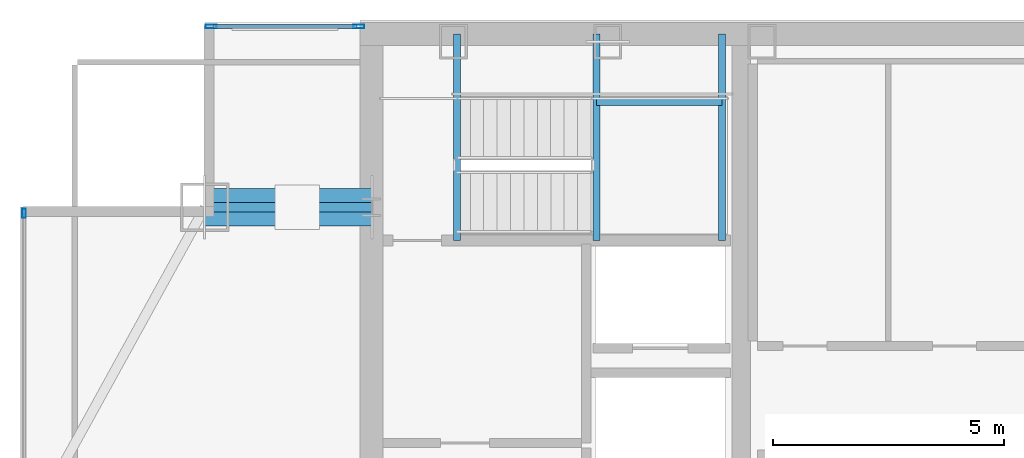
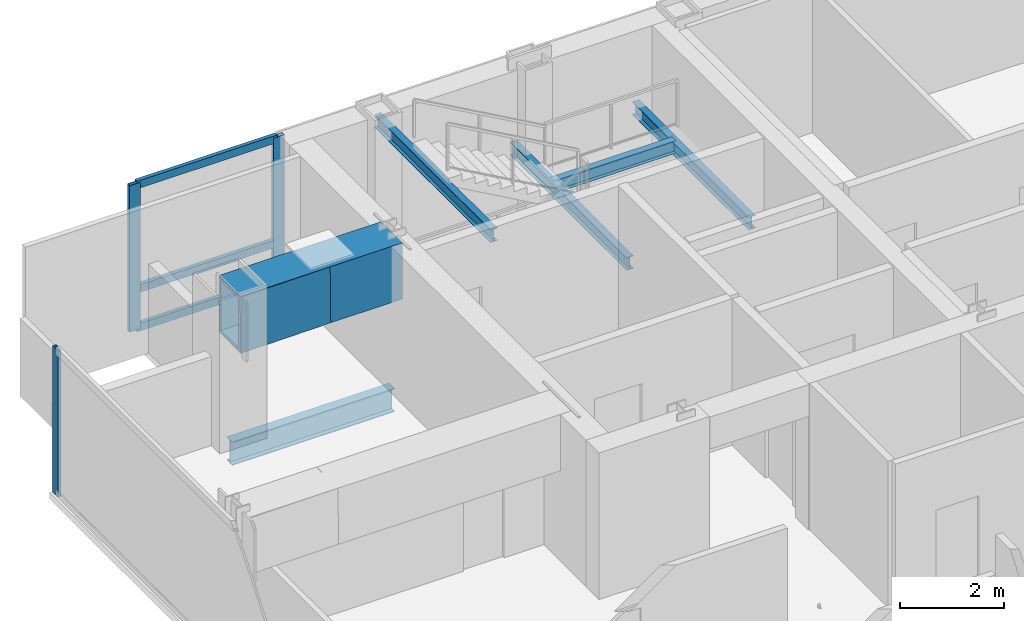
# One storey, part 17 of 26: 7 beams, 6 members, 2 elements without a shape of their own.
"""IFC4 building model written with IfcOpenShell, lengths in metres."""

from ifc_helpers import new_model, si_unit, direction, frame, origin, origin_2d, place, context, subcontext, project, spatial, hollow_rectangle, i_section, extrude, material, material_profile, profile_set, type_object, element, aggregate, save


model = new_model("IFC4")

# Units and contexts
model_context = context("Model", 3, precision=1e-05, world=origin(), true_north=direction((0.0, 1.0)))
body_context = subcontext(model_context, "Body", "Model", "MODEL_VIEW")
ifc_project = project(units=[si_unit("LENGTHUNIT", "METRE"), si_unit("AREAUNIT", "SQUARE_METRE"), si_unit("VOLUMEUNIT", "CUBIC_METRE"), si_unit("PLANEANGLEUNIT", "RADIAN"), si_unit("MASSUNIT", "GRAM", prefix="KILO")], contexts=[model_context])

# Site, building, storey
site_placement = place(None, origin())
site = spatial("IfcSite", under=ifc_project, at=site_placement, CompositionType="ELEMENT")
building_placement = place(site_placement, origin())
building = spatial("IfcBuilding", under=site, at=building_placement, Name="Khoronbel Lancet Exchange", CompositionType="ELEMENT")
storey_placement = place(building_placement, frame((0.0, 0.0, 287.800048828125)))
storey = spatial("IfcBuildingStorey", under=building, at=storey_placement, Name="L74", CompositionType="ELEMENT", Elevation=287.800048828125)

# Beams
ifc_material_1 = material(Name="Steel S355", Category="steel")
ifc_material_profile_1 = material_profile(ifc_material_1, i_section(OverallWidth=0.14990234375, OverallDepth=0.300048828125, WebThickness=0.007080078125, FlangeThickness=0.0107421875, at=origin_2d()), Name="IPE 300")
ifc_profile_set_1 = profile_set([ifc_material_profile_1], Name="Steel S355")
beam_type_1 = type_object("IfcBeamType", Name="BM-BJ8", PredefinedType="JOIST", material=ifc_profile_set_1)
for number, where, z_axis, x_axis, name in (
    (1, (21.320068359375, 48.97998046875, 1.449951171875), (0.0, 1.0, 0.0), (-1.0, 0.0, 0.0), "Level L74 stair ST1 landing bearer beam 1"),
    (2, (24.030029296875, 48.97998046875, 1.449951171875), (0.0, 1.0, 0.0), (-1.0, 0.0, 0.0), "Level L74 stair ST1 rear landing bearer beam 1"),
):
    element("IfcBeam", number, at=place(storey_placement, frame(where, z_axis=z_axis, x_axis=x_axis)), inside=storey, type_object=beam_type_1, Name=name, PredefinedType="JOIST", context=body_context, shape_type="SweptSolid", body=[
        extrude(i_section(OverallWidth=0.14990234375, OverallDepth=0.300048828125, WebThickness=0.007080078125, FlangeThickness=0.0107421875, at=origin_2d()), origin(), (0.0, 0.0, 1.0), 4.469970703125),
    ])
beam_1_placement = place(storey_placement, frame((21.320068359375, 51.97998046875, 1.449951171875), z_axis=(1.0, 0.0, 0.0), x_axis=(0.0, 1.0, 0.0)))
element("IfcBeam", 3, at=beam_1_placement, inside=storey, type_object=beam_type_1, Name="Level L74 stair ST1 landing cross trimmer beam 1", PredefinedType="JOIST", context=body_context, shape_type="SweptSolid", body=[
    extrude(i_section(OverallWidth=0.14990234375, OverallDepth=0.300048828125, WebThickness=0.007080078125, FlangeThickness=0.0107421875, at=origin_2d()), origin(), (0.0, 0.0, 1.0), 2.7099609375),
])
beam_2_placement = place(storey_placement, frame((18.300048828125, 48.97998046875, 3.159912109375), z_axis=(0.0, 1.0, 0.0), x_axis=(-1.0, 0.0, 0.0)))
element("IfcBeam", 4, at=beam_2_placement, inside=storey, type_object=beam_type_1, Name="Level L74 stair ST1 upper-flight arrival trimmer beam", PredefinedType="JOIST", context=body_context, shape_type="SweptSolid", body=[
    extrude(i_section(OverallWidth=0.14990234375, OverallDepth=0.300048828125, WebThickness=0.007080078125, FlangeThickness=0.0107421875, at=origin_2d()), origin(), (0.0, 0.0, 1.0), 4.469970703125),
])
ifc_material_profile_2 = material_profile(ifc_material_1, i_section(OverallWidth=0.2099609375, OverallDepth=0.550048828125, WebThickness=0.010986328125, FlangeThickness=0.01708984375, at=origin_2d()), Name="IPE 550")
ifc_profile_set_2 = profile_set([ifc_material_profile_2], Name="Steel S355")
beam_type_2 = type_object("IfcBeamType", Name="BM-BSP3", PredefinedType="SPANDREL", material=ifc_profile_set_2)
beam_3_placement = place(storey_placement, frame((12.85009765625, 49.699951171875, -0.43505859375), z_axis=(1.0, 0.0, 0.0), x_axis=(0.0, 1.0, 0.0)))
element("IfcBeam", 5, at=beam_3_placement, inside=storey, type_object=beam_type_2, Name="Level L74 north flank tie spandrel SP22", PredefinedType="SPANDREL", context=body_context, shape_type="SweptSolid", body=[
    extrude(i_section(OverallWidth=0.2099609375, OverallDepth=0.550048828125, WebThickness=0.010986328125, FlangeThickness=0.01708984375, at=origin_2d()), origin(), (0.0, 0.0, 1.0), 3.599853515625),
])
ifc_material_2 = material(Name="Steel S460", Category="steel")
ifc_material_profile_3 = material_profile(ifc_material_2, hollow_rectangle(XDim=0.820068359375, YDim=1.320068359375, WallThickness=0.070068359375, at=origin_2d()), Name="BOX 820x1320x70")
ifc_profile_set_3 = profile_set([ifc_material_profile_3], Name="Steel S460")
beam_type_3 = type_object("IfcBeamType", Name="BM-TG4", PredefinedType="USERDEFINED", material=ifc_profile_set_3)
beam_4_placement = place(storey_placement, frame((12.85009765625, 49.699951171875, 2.760009765625), z_axis=(0.99994990606, 0.0, 0.010009264196), x_axis=(0.0, 1.0, 0.0)))
element("IfcBeam", 6, at=beam_4_placement, inside=storey, type_object=beam_type_3, Name="Setback transfer knee-brace girder L74-MC-NW", ObjectType="TRANSFER GIRDER", PredefinedType="USERDEFINED", context=body_context, shape_type="SweptSolid", body=[
    extrude(hollow_rectangle(XDim=0.820068359375, YDim=1.320068359375, WallThickness=0.070068359375, at=origin_2d()), origin(), (0.0, 0.0, 1.0), 2.0),
])
beam_5_placement = place(storey_placement, frame((12.85009765625, 49.699951171875, 2.780029296875), z_axis=(1.0, 0.0, 0.0), x_axis=(0.0, 1.0, 0.0)))
element("IfcBeam", 7, at=beam_5_placement, inside=storey, type_object=beam_type_3, Name="Corner mega-column setback transfer girder L74-NW", ObjectType="TRANSFER GIRDER", PredefinedType="USERDEFINED", context=body_context, shape_type="SweptSolid", body=[
    extrude(hollow_rectangle(XDim=0.820068359375, YDim=1.320068359375, WallThickness=0.070068359375, at=origin_2d()), origin(), (0.0, 0.0, 1.0), 3.599853515625),
])

# Curtain wall, members
ifc_material_3 = material(Name="Low-E Solar Control Insulating Glass", Category="glass")
curtain_wall_type_1 = type_object("IfcCurtainWallType", Name="CW-3", PredefinedType="NOTDEFINED", material=ifc_material_3)
curtain_wall_1_placement = place(storey_placement, origin())
curtain_wall_1 = element("IfcCurtainWall", 8, at=curtain_wall_1_placement, inside=storey, type_object=curtain_wall_type_1, Name="Unitised curtain wall CW-L74-NWFLK", PredefinedType="NOTDEFINED")
ifc_material_4 = material(Name="Bronze-Anodised Aluminium 6063-T6", Category="aluminium")
ifc_material_profile_4 = material_profile(ifc_material_4, hollow_rectangle(XDim=0.0849609375, YDim=0.239990234375, WallThickness=0.006103515625, at=origin_2d()), Name="ALU MULLION 85x240")
ifc_profile_set_4 = profile_set([ifc_material_profile_4], Name="Bronze-Anodised Aluminium 6063-T6")
member_type_1 = type_object("IfcMemberType", Name="MEM-CWM1", PredefinedType="MULLION", material=ifc_profile_set_4)
member_1_placement = place(storey_placement, frame((16.177490234375, 53.610107421875, 0.0), z_axis=(0.0, 0.0, 1.0), x_axis=(0.0, -1.0, 0.0)))
member_1 = element("IfcMember", 9, at=member_1_placement, type_object=member_type_1, Name="CW3 mullion 1", PredefinedType="MULLION", context=body_context, shape_type="SweptSolid", body=[
    extrude(hollow_rectangle(XDim=0.0849609375, YDim=0.239990234375, WallThickness=0.006103515625, at=origin_2d()), origin(), (0.0, 0.0, 1.0), 3.43994140625),
])
member_2_placement = place(storey_placement, frame((12.982421875, 53.610107421875, 0.0), z_axis=(0.0, 0.0, 1.0), x_axis=(0.0, -1.0, 0.0)))
member_2 = element("IfcMember", 10, at=member_2_placement, type_object=member_type_1, Name="CW3 mullion 2", PredefinedType="MULLION", context=body_context, shape_type="SweptSolid", body=[
    extrude(hollow_rectangle(XDim=0.0849609375, YDim=0.239990234375, WallThickness=0.006103515625, at=origin_2d()), origin(), (0.0, 0.0, 1.0), 3.43994140625),
])

# Curtain wall, member
curtain_wall_type_2 = type_object("IfcCurtainWallType", Name="CW-4", PredefinedType="NOTDEFINED", material=ifc_material_3)
curtain_wall_2_placement = place(storey_placement, origin())
curtain_wall_2 = element("IfcCurtainWall", 11, at=curtain_wall_2_placement, inside=storey, type_object=curtain_wall_type_2, Name="Unitised curtain wall CW-L74-E03", PredefinedType="NOTDEFINED")
ifc_material_profile_5 = material_profile(ifc_material_4, hollow_rectangle(XDim=0.074951171875, YDim=0.199951171875, WallThickness=0.0048828125, at=origin_2d()), Name="ALU MULLION 75x200")
ifc_profile_set_5 = profile_set([ifc_material_profile_5], Name="Bronze-Anodised Aluminium 6063-T6")
member_type_2 = type_object("IfcMemberType", Name="MEM-CWM2", PredefinedType="MULLION", material=ifc_profile_set_5)
member_3_placement = place(storey_placement, frame((8.93994140625, 49.572509765625, 0.0), z_axis=(0.0, 0.0, 1.0), x_axis=(-1.0, 0.0, 0.0)))
member_3 = element("IfcMember", 12, at=member_3_placement, type_object=member_type_2, Name="CW4 mullion 3", PredefinedType="MULLION", context=body_context, shape_type="SweptSolid", body=[
    extrude(hollow_rectangle(XDim=0.074951171875, YDim=0.199951171875, WallThickness=0.0048828125, at=origin_2d()), origin(), (0.0, 0.0, 1.0), 3.43994140625),
])
aggregate(curtain_wall_2, [member_3])

# Member
ifc_material_profile_6 = material_profile(ifc_material_4, hollow_rectangle(XDim=0.0849609375, YDim=0.179931640625, WallThickness=0.0048828125, at=origin_2d()), Name="ALU TRANSOM 85x180")
ifc_profile_set_6 = profile_set([ifc_material_profile_6], Name="Bronze-Anodised Aluminium 6063-T6")
member_type_3 = type_object("IfcMemberType", Name="MEM-CWT1", PredefinedType="USERDEFINED", material=ifc_profile_set_6)
member_4_placement = place(storey_placement, frame((16.135009765625, 53.610107421875, 0.04248046875), z_axis=(-1.0, 0.0, 0.0), x_axis=(0.0, -1.0, 0.0)))
member_4 = element("IfcMember", 13, at=member_4_placement, type_object=member_type_3, Name="CW3 transom 1.1", ObjectType="TRANSOM", PredefinedType="USERDEFINED", context=body_context, shape_type="SweptSolid", body=[
    extrude(hollow_rectangle(XDim=0.0849609375, YDim=0.179931640625, WallThickness=0.0048828125, at=origin_2d()), origin(), (0.0, 0.0, 1.0), 3.110107421875),
])

member_5_placement = place(storey_placement, frame((16.135009765625, 53.610107421875, 0.949951171875), z_axis=(-1.0, 0.0, 0.0), x_axis=(0.0, -1.0, 0.0)))
member_5 = element("IfcMember", 14, at=member_5_placement, type_object=member_type_3, Name="CW3 transom 1.2", ObjectType="TRANSOM", PredefinedType="USERDEFINED", context=body_context, shape_type="SweptSolid", body=[
    extrude(hollow_rectangle(XDim=0.0849609375, YDim=0.179931640625, WallThickness=0.0048828125, at=origin_2d()), origin(), (0.0, 0.0, 1.0), 3.110107421875),
])

member_6_placement = place(storey_placement, frame((16.135009765625, 53.610107421875, 3.3974609375), z_axis=(-1.0, 0.0, 0.0), x_axis=(0.0, -1.0, 0.0)))
member_6 = element("IfcMember", 15, at=member_6_placement, type_object=member_type_3, Name="CW3 transom 1.3", ObjectType="TRANSOM", PredefinedType="USERDEFINED", context=body_context, shape_type="SweptSolid", body=[
    extrude(hollow_rectangle(XDim=0.0849609375, YDim=0.179931640625, WallThickness=0.0048828125, at=origin_2d()), origin(), (0.0, 0.0, 1.0), 3.110107421875),
])

aggregate(curtain_wall_1, [member_1, member_2, member_4, member_5, member_6])

save(model, "model.ifc")
